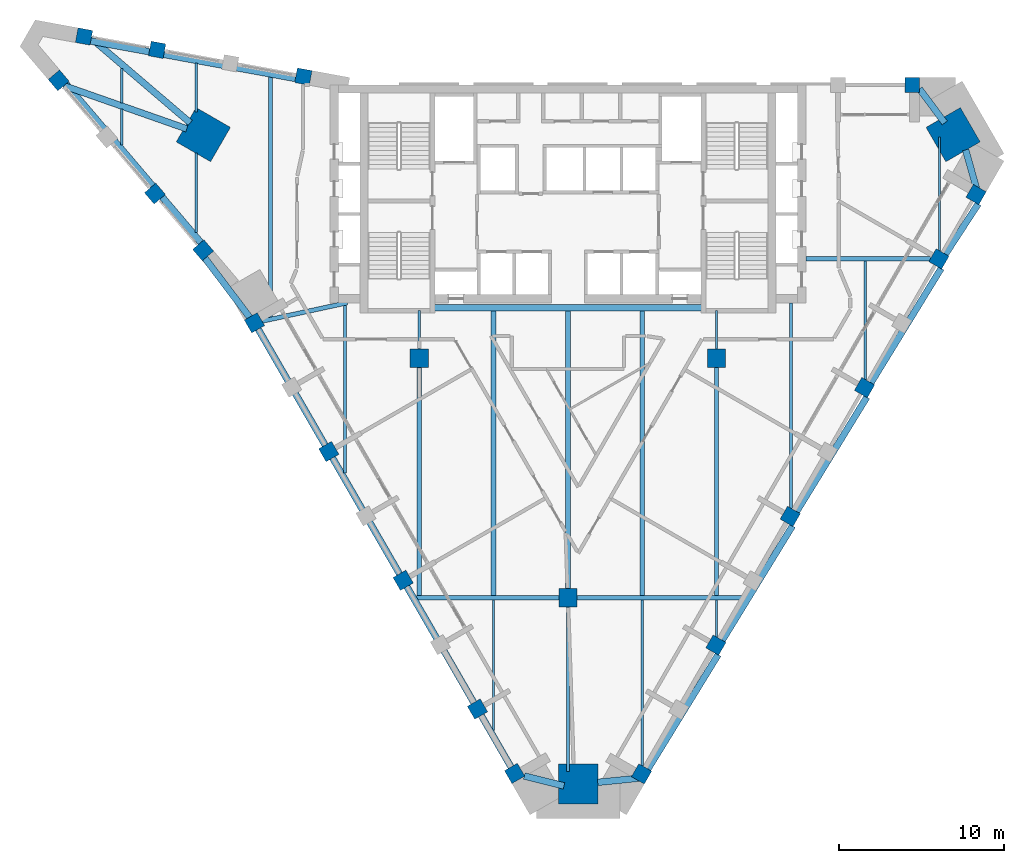
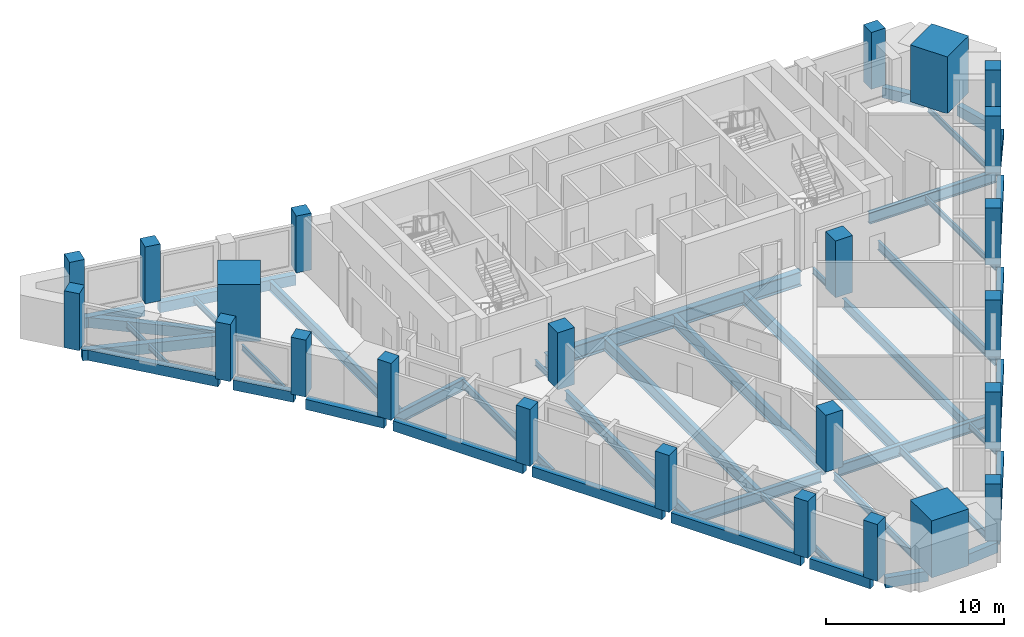
# One storey, part 1 of 9: 45 beams, 24 columns.
"""IFC4 building model written with IfcOpenShell, lengths in metres."""

from ifc_helpers import new_model, si_unit, direction, frame, origin, origin_2d, place, context, subcontext, project, spatial, rectangle, i_section, extrude, material, material_profile, profile_set, type_object, element, save


model = new_model("IFC4")

# Units and contexts
model_context = context("Model", 3, precision=1e-05, world=origin(), true_north=direction((0.0, 1.0)))
body_context = subcontext(model_context, "Body", "Model", "MODEL_VIEW")
ifc_project = project(units=[si_unit("LENGTHUNIT", "METRE"), si_unit("AREAUNIT", "SQUARE_METRE"), si_unit("VOLUMEUNIT", "CUBIC_METRE"), si_unit("PLANEANGLEUNIT", "RADIAN"), si_unit("MASSUNIT", "GRAM", prefix="KILO")], contexts=[model_context])

# Site, building, storey
site_placement = place(None, origin())
site = spatial("IfcSite", under=ifc_project, at=site_placement, CompositionType="ELEMENT")
building_placement = place(site_placement, origin())
building = spatial("IfcBuilding", under=site, at=building_placement, Name="Calabash Gate Tower", CompositionType="ELEMENT")
storey_placement = place(building_placement, frame((0.0, 0.0, 223.699951171875)))
storey = spatial("IfcBuildingStorey", under=building, at=storey_placement, Name="L53", CompositionType="ELEMENT", Elevation=223.699951171875)

# Columns
ifc_material_1 = material(Name="Concrete C60/75", Category="concrete")
ifc_material_profile_1 = material_profile(ifc_material_1, rectangle(XDim=1.10009765625, YDim=1.10009765625, at=origin_2d()))
ifc_profile_set_1 = profile_set([ifc_material_profile_1], Name="Concrete C60/75")
column_type_1 = type_object("IfcColumnType", Name="Interior column RC 1100x1100 Concrete C60/75", PredefinedType="COLUMN", material=ifc_profile_set_1)
for number, where, z_axis, x_axis, name in (
    (1, (-9.0, 2.5, 0.0), (0.0, 0.0, 1.0), (1.0, 0.0, 0.0), "Interior column L53 I0"),
    (2, (9.0, 2.5, 0.0), (0.0, 0.0, 1.0), (1.0, 0.0, 0.0), "Interior column L53 I1"),
    (3, (0.0, -12.0, 0.0), (0.0, 0.0, 1.0), (1.0, 0.0, 0.0), "Interior column L53 I2"),
):
    element("IfcColumn", number, at=place(storey_placement, frame(where, z_axis=z_axis, x_axis=x_axis)), inside=storey, type_object=column_type_1, Name=name, PredefinedType="COLUMN", context=body_context, shape_type="SweptSolid", body=[
        extrude(rectangle(XDim=1.10009765625, YDim=1.10009765625, at=origin_2d()), origin(), (0.0, 0.0, 1.0), 3.900146484375),
    ])
ifc_material_2 = material(Name="Concrete C70/85", Category="concrete")
ifc_material_profile_2 = material_profile(ifc_material_2, rectangle(XDim=2.39990234375, YDim=2.39990234375, at=origin_2d()))
ifc_profile_set_2 = profile_set([ifc_material_profile_2], Name="Concrete C70/85")
column_type_2 = type_object("IfcColumnType", Name="Mega column RC 2400x2400 Concrete C70/85", PredefinedType="COLUMN", material=ifc_profile_set_2)
for number, where, z_axis, x_axis, name in (
    (4, (-22.070068359375, 16.0380859375, 0.0), (0.0, 0.0, 1.0), (0.866025421238, -0.49999996977, 0.0), "Mega column L53 NW"),
    (5, (23.321044921875, 16.0380859375, 0.0), (0.0, 0.0, 1.0), (-0.866025421238, -0.49999996977, 0.0), "Mega column L53 NE"),
    (6, (0.6259765625, -23.27197265625, 0.0), (0.0, 0.0, 1.0), (0.0, 1.0, 0.0), "Mega column L53 S"),
):
    element("IfcColumn", number, at=place(storey_placement, frame(where, z_axis=z_axis, x_axis=x_axis)), inside=storey, type_object=column_type_2, Name=name, PredefinedType="COLUMN", context=body_context, shape_type="SweptSolid", body=[
        extrude(rectangle(XDim=2.39990234375, YDim=2.39990234375, at=origin_2d()), origin(), (0.0, 0.0, 1.0), 3.900146484375),
    ])
ifc_material_3 = material(Name="Concrete C60/75", Category="concrete")
ifc_material_profile_3 = material_profile(ifc_material_3, rectangle(XDim=0.89990234375, YDim=0.89990234375, at=origin_2d()))
ifc_profile_set_3 = profile_set([ifc_material_profile_3], Name="Concrete C60/75")
column_type_3 = type_object("IfcColumnType", Name="Perimeter column RC 900x900 Concrete C60/75", PredefinedType="COLUMN", material=ifc_profile_set_3)
for number, where, z_axis, x_axis, name in (
    (7, (-18.97412109375, 4.64599609375, 0.0), (0.0, 0.0, 1.0), (0.5, -0.866025403784, 0.0), "Perimeter column L53 P00"),
    (8, (-14.47412109375, -3.14794921875, 0.0), (0.0, 0.0, 1.0), (0.5, -0.866025403784, 0.0), "Perimeter column L53 P01"),
    (9, (-9.97412109375, -10.94189453125, 0.0), (0.0, 0.0, 1.0), (0.5, -0.866025403784, 0.0), "Perimeter column L53 P02"),
    (10, (-5.47412109375, -18.736083984375, 0.0), (0.0, 0.0, 1.0), (0.5, -0.866025403784, 0.0), "Perimeter column L53 P03"),
    (11, (-3.22412109375, -22.633056640625, 0.0), (0.0, 0.0, 1.0), (0.5, -0.866025403784, 0.0), "Perimeter column L53 P25"),
    (12, (4.458984375, -22.660888671875, 0.0), (0.0, 0.0, 1.0), (0.5, 0.866025403784, 0.0), "Perimeter column L53 P08"),
    (13, (8.958984375, -14.866943359375, 0.0), (0.0, 0.0, 1.0), (0.5, 0.866025403784, 0.0), "Perimeter column L53 P09"),
    (14, (13.458984375, -7.072998046875, 0.0), (0.0, 0.0, 1.0), (0.5, 0.866025403784, 0.0), "Perimeter column L53 P10"),
    (15, (17.958984375, 0.721923828125, 0.0), (0.0, 0.0, 1.0), (0.5, 0.866025403784, 0.0), "Perimeter column L53 P11"),
    (16, (22.458984375, 8.51611328125, 0.0), (0.0, 0.0, 1.0), (0.5, 0.866025403784, 0.0), "Perimeter column L53 P12"),
    (17, (24.708984375, 12.4130859375, 0.0), (0.0, 0.0, 1.0), (0.5, 0.866025403784, 0.0), "Perimeter column L53 P13"),
    (18, (20.843994140625, 19.052978515625, 0.0), (0.0, 0.0, 1.0), (-1.0, 0.0, 0.0), "Perimeter column L53 P24"),
    (19, (-16.012939453125, 19.551025390625, 0.0), (0.0, 0.0, 1.0), (-0.983669930074, 0.179981856499, 0.0), "Perimeter column L53 P31"),
    (20, (-24.865966796875, 21.1708984375, 0.0), (0.0, 0.0, 1.0), (-0.983669930074, 0.179981856499, 0.0), "Perimeter column L53 P32"),
    (21, (-29.29296875, 21.97998046875, 0.0), (0.0, 0.0, 1.0), (-0.983669930074, 0.179981856499, 0.0), "Perimeter column L53 P33"),
    (22, (-30.827880859375, 19.322021484375, 0.0), (0.0, 0.0, 1.0), (0.647703824985, -0.761892220133, 0.0), "Perimeter column L53 P34"),
    (23, (-24.998046875, 12.467041015625, 0.0), (0.0, 0.0, 1.0), (0.647703824985, -0.761892220133, 0.0), "Perimeter column L53 P20"),
    (24, (-22.083984375, 9.037109375, 0.0), (0.0, 0.0, 1.0), (0.647703824985, -0.761892220133, 0.0), "Perimeter column L53 P35"),
):
    element("IfcColumn", number, at=place(storey_placement, frame(where, z_axis=z_axis, x_axis=x_axis)), inside=storey, type_object=column_type_3, Name=name, PredefinedType="COLUMN", context=body_context, shape_type="SweptSolid", body=[
        extrude(rectangle(XDim=0.89990234375, YDim=0.89990234375, at=origin_2d()), origin(), (0.0, 0.0, 1.0), 3.900146484375),
    ])

# Beams
ifc_material_4 = material(Name="Concrete C50/60", Category="concrete")
ifc_material_profile_4 = material_profile(ifc_material_4, rectangle(XDim=0.39990234375, YDim=0.699951171875, at=origin_2d()))
ifc_profile_set_4 = profile_set([ifc_material_profile_4], Name="Concrete C50/60")
beam_type_1 = type_object("IfcBeamType", Name="Edge beam RC 400x700 Concrete C50/60", PredefinedType="BEAM", material=ifc_profile_set_4)
beam_1_placement = place(storey_placement, frame((-14.260986328125, -3.51611328125, -0.52001953125), z_axis=(0.50008326424, -0.865977325816, 0.0), x_axis=(0.865977325816, 0.50008326424, 0.0)))
element("IfcBeam", 25, at=beam_1_placement, inside=storey, type_object=beam_type_1, Name="Edge beam L53 1", PredefinedType="BEAM", context=body_context, shape_type="SweptSolid", body=[
    extrude(rectangle(XDim=0.39990234375, YDim=0.699951171875, at=origin_2d()), origin(), (0.0, 0.0, 1.0), 8.41455078125),
])
beam_2_placement = place(storey_placement, frame((-9.760986328125, -11.31005859375, -0.52001953125), z_axis=(0.49997020258, -0.86604260665, 0.0), x_axis=(0.86604260665, 0.49997020258, 0.0)))
element("IfcBeam", 26, at=beam_2_placement, inside=storey, type_object=beam_type_1, Name="Edge beam L53 2", PredefinedType="BEAM", context=body_context, shape_type="SweptSolid", body=[
    extrude(rectangle(XDim=0.39990234375, YDim=0.699951171875, at=origin_2d()), origin(), (0.0, 0.0, 1.0), 8.41650390625),
])
beam_3_placement = place(storey_placement, frame((-5.260986328125, -19.10400390625, -0.52001953125), z_axis=(0.49981236974, -0.866133705068, 0.0), x_axis=(0.866133705068, 0.49981236974, 0.0)))
element("IfcBeam", 27, at=beam_3_placement, inside=storey, type_object=beam_type_1, Name="Edge beam L53 3", PredefinedType="BEAM", context=body_context, shape_type="SweptSolid", body=[
    extrude(rectangle(XDim=0.39990234375, YDim=0.699951171875, at=origin_2d()), origin(), (0.0, 0.0, 1.0), 3.91748046875),
])
beam_4_placement = place(storey_placement, frame((-2.64111328125, -22.7890625, -0.52001953125), z_axis=(0.970258111546, -0.242072710109, 0.0), x_axis=(0.242072710109, 0.970258111546, 0.0)))
element("IfcBeam", 28, at=beam_4_placement, inside=storey, type_object=beam_type_1, Name="Edge beam L53 4", PredefinedType="BEAM", context=body_context, shape_type="SweptSolid", body=[
    extrude(rectangle(XDim=0.39990234375, YDim=0.699951171875, at=origin_2d()), origin(), (0.0, 0.0, 1.0), 2.48193359375),
])
beam_5_placement = place(storey_placement, frame((1.802978515625, -23.173095703125, -0.52001953125), z_axis=(0.994956996176, 0.100302421506, 0.0), x_axis=(-0.100302421506, 0.994956996176, 0.0)))
element("IfcBeam", 29, at=beam_5_placement, inside=storey, type_object=beam_type_1, Name="Edge beam L53 5", PredefinedType="BEAM", context=body_context, shape_type="SweptSolid", body=[
    extrude(rectangle(XDim=0.39990234375, YDim=0.699951171875, at=origin_2d()), origin(), (0.0, 0.0, 1.0), 2.7236328125),
])
beam_6_placement = place(storey_placement, frame((4.8369140625, -22.383056640625, -0.52001953125), z_axis=(0.522914785384, 0.852384964219, 0.0), x_axis=(-0.852384964219, 0.522914785384, 0.0)))
element("IfcBeam", 30, at=beam_6_placement, inside=storey, type_object=beam_type_1, Name="Edge beam L53 6", PredefinedType="BEAM", context=body_context, shape_type="SweptSolid", body=[
    extrude(rectangle(XDim=0.39990234375, YDim=0.699951171875, at=origin_2d()), origin(), (0.0, 0.0, 1.0), 8.146728515625),
])
beam_7_placement = place(storey_placement, frame((9.3369140625, -14.591064453125, -0.52001953125), z_axis=(0.522701135347, 0.852515995807, 0.0), x_axis=(-0.852515995807, 0.522701135347, 0.0)))
element("IfcBeam", 31, at=beam_7_placement, inside=storey, type_object=beam_type_1, Name="Edge beam L53 7", PredefinedType="BEAM", context=body_context, shape_type="SweptSolid", body=[
    extrude(rectangle(XDim=0.39990234375, YDim=0.699951171875, at=origin_2d()), origin(), (0.0, 0.0, 1.0), 8.14990234375),
])
beam_8_placement = place(storey_placement, frame((13.8369140625, -6.797119140625, -0.52001953125), z_axis=(0.522807942643, 0.852450500093, 0.0), x_axis=(-0.852450500093, 0.522807942643, 0.0)))
element("IfcBeam", 32, at=beam_8_placement, inside=storey, type_object=beam_type_1, Name="Edge beam L53 8", PredefinedType="BEAM", context=body_context, shape_type="SweptSolid", body=[
    extrude(rectangle(XDim=0.39990234375, YDim=0.699951171875, at=origin_2d()), origin(), (0.0, 0.0, 1.0), 8.1484375),
])
beam_9_placement = place(storey_placement, frame((18.3369140625, 0.998046875, -0.52001953125), z_axis=(0.522861359582, 0.852417737178, 0.0), x_axis=(-0.852417737178, 0.522861359582, 0.0)))
element("IfcBeam", 33, at=beam_9_placement, inside=storey, type_object=beam_type_1, Name="Edge beam L53 9", PredefinedType="BEAM", context=body_context, shape_type="SweptSolid", body=[
    extrude(rectangle(XDim=0.39990234375, YDim=0.699951171875, at=origin_2d()), origin(), (0.0, 0.0, 1.0), 8.1474609375),
])
beam_10_placement = place(storey_placement, frame((22.846923828125, 8.785888671875, -0.52001953125), z_axis=(0.545171710291, 0.838324403974, 0.0), x_axis=(-0.838324403974, 0.545171710291, 0.0)))
element("IfcBeam", 34, at=beam_10_placement, inside=storey, type_object=beam_type_1, Name="Edge beam L53 10", PredefinedType="BEAM", context=body_context, shape_type="SweptSolid", body=[
    extrude(rectangle(XDim=0.39990234375, YDim=0.699951171875, at=origin_2d()), origin(), (0.0, 0.0, 1.0), 3.650146484375),
])
beam_11_placement = place(storey_placement, frame((24.85693359375, 12.346923828125, -0.52001953125), z_axis=(-0.270121095734, 0.962826356951, 0.0), x_axis=(-0.962826356951, -0.270121095734, 0.0)))
element("IfcBeam", 35, at=beam_11_placement, inside=storey, type_object=beam_type_1, Name="Edge beam L53 11", PredefinedType="BEAM", context=body_context, shape_type="SweptSolid", body=[
    extrude(rectangle(XDim=0.39990234375, YDim=0.699951171875, at=origin_2d()), origin(), (0.0, 0.0, 1.0), 2.8759765625),
])
beam_12_placement = place(storey_placement, frame((22.81689453125, 16.75, -0.52001953125), z_axis=(-0.598451550505, 0.801158999012, 0.0), x_axis=(-0.801158999012, -0.598451550505, 0.0)))
element("IfcBeam", 36, at=beam_12_placement, inside=storey, type_object=beam_type_1, Name="Edge beam L53 12", PredefinedType="BEAM", context=body_context, shape_type="SweptSolid", body=[
    extrude(rectangle(XDim=0.39990234375, YDim=0.699951171875, at=origin_2d()), origin(), (0.0, 0.0, 1.0), 2.574951171875),
])
beam_13_placement = place(storey_placement, frame((-16.491943359375, 19.43701171875, -0.52001953125), z_axis=(-0.983710376503, 0.179760660767, 0.0), x_axis=(-0.179760660767, -0.983710376503, 0.0)))
element("IfcBeam", 37, at=beam_13_placement, inside=storey, type_object=beam_type_1, Name="Edge beam L53 13", PredefinedType="BEAM", context=body_context, shape_type="SweptSolid", body=[
    extrude(rectangle(XDim=0.39990234375, YDim=0.699951171875, at=origin_2d()), origin(), (0.0, 0.0, 1.0), 8.099853515625),
])
beam_14_placement = place(storey_placement, frame((-25.343017578125, 21.056884765625, -0.52001953125), z_axis=(-0.983780846892, 0.179374594879, 0.0), x_axis=(-0.179374594879, -0.983780846892, 0.0)))
element("IfcBeam", 38, at=beam_14_placement, inside=storey, type_object=beam_type_1, Name="Edge beam L53 14", PredefinedType="BEAM", context=body_context, shape_type="SweptSolid", body=[
    extrude(rectangle(XDim=0.39990234375, YDim=0.699951171875, at=origin_2d()), origin(), (0.0, 0.0, 1.0), 3.601318359375),
])
beam_15_placement = place(storey_placement, frame((-28.8720703125, 21.884033203125, -0.52001953125), z_axis=(0.760395602706, -0.649460181524, 0.0), x_axis=(0.649460181524, 0.760395602706, 0.0)))
element("IfcBeam", 39, at=beam_15_placement, inside=storey, type_object=beam_type_1, Name="Edge beam L53 15", PredefinedType="BEAM", context=body_context, shape_type="SweptSolid", body=[
    extrude(rectangle(XDim=0.39990234375, YDim=0.699951171875, at=origin_2d()), origin(), (0.0, 0.0, 1.0), 7.905029296875),
])
beam_16_placement = place(storey_placement, frame((-23.070068359375, 16.387939453125, -0.52001953125), z_axis=(-0.943576970451, 0.331153289028, 0.0), x_axis=(-0.331153289028, -0.943576970451, 0.0)))
element("IfcBeam", 40, at=beam_16_placement, inside=storey, type_object=beam_type_1, Name="Edge beam L53 16", PredefinedType="BEAM", context=body_context, shape_type="SweptSolid", body=[
    extrude(rectangle(XDim=0.39990234375, YDim=0.699951171875, at=origin_2d()), origin(), (0.0, 0.0, 1.0), 7.9091796875),
])
beam_17_placement = place(storey_placement, frame((-30.384033203125, 19.10888671875, -0.52001953125), z_axis=(0.647777896435, -0.761829243919, 0.0), x_axis=(0.761829243919, 0.647777896435, 0.0)))
element("IfcBeam", 41, at=beam_17_placement, inside=storey, type_object=beam_type_1, Name="Edge beam L53 17", PredefinedType="BEAM", context=body_context, shape_type="SweptSolid", body=[
    extrude(rectangle(XDim=0.39990234375, YDim=0.699951171875, at=origin_2d()), origin(), (0.0, 0.0, 1.0), 8.10009765625),
])
beam_18_placement = place(storey_placement, frame((-24.553955078125, 12.251953125, -0.52001953125), z_axis=(0.647579511056, -0.761997885076, 0.0), x_axis=(0.761997885076, 0.647579511056, 0.0)))
element("IfcBeam", 42, at=beam_18_placement, inside=storey, type_object=beam_type_1, Name="Edge beam L53 18", PredefinedType="BEAM", context=body_context, shape_type="SweptSolid", body=[
    extrude(rectangle(XDim=0.39990234375, YDim=0.699951171875, at=origin_2d()), origin(), (0.0, 0.0, 1.0), 3.599609375),
])
beam_19_placement = place(storey_placement, frame((-21.97705078125, 8.56689453125, -0.52001953125), z_axis=(0.603113036722, -0.797655730836, 0.0), x_axis=(0.797655730836, 0.603113036722, 0.0)))
element("IfcBeam", 43, at=beam_19_placement, inside=storey, type_object=beam_type_1, Name="Edge beam L53 19", PredefinedType="BEAM", context=body_context, shape_type="SweptSolid", body=[
    extrude(rectangle(XDim=0.39990234375, YDim=0.699951171875, at=origin_2d()), origin(), (0.0, 0.0, 1.0), 4.77392578125),
])
beam_20_placement = place(storey_placement, frame((-18.760986328125, 4.278076171875, -0.52001953125), z_axis=(0.49997020258, -0.86604260665, 0.0), x_axis=(0.86604260665, 0.49997020258, 0.0)))
element("IfcBeam", 44, at=beam_20_placement, inside=storey, type_object=beam_type_1, Name="Edge beam L53 20", PredefinedType="BEAM", context=body_context, shape_type="SweptSolid", body=[
    extrude(rectangle(XDim=0.39990234375, YDim=0.699951171875, at=origin_2d()), origin(), (0.0, 0.0, 1.0), 8.41650390625),
])
ifc_material_5 = material(Name="Steel ASTM A992 Gr50", Category="steel")
ifc_material_profile_5 = material_profile(ifc_material_5, i_section(OverallWidth=0.1396484375, OverallDepth=0.398681640625, WebThickness=0.00634765625, FlangeThickness=0.0087890625, FilletRadius=0.01025390625, at=origin_2d()))
ifc_profile_set_5 = profile_set([ifc_material_profile_5], Name="Steel ASTM A992 Gr50")
beam_type_2 = type_object("IfcBeamType", Name="Floor beam W16x26 ASTM A992 Gr50", PredefinedType="BEAM", material=ifc_profile_set_5)
beam_21_placement = place(storey_placement, frame((-27.0, 15.416015625, -0.368896484375), z_axis=(0.0, 1.0, 0.0), x_axis=(-1.0, 0.0, 0.0)))
element("IfcBeam", 45, at=beam_21_placement, inside=storey, type_object=beam_type_2, Name="Floor beam L53 1", PredefinedType="BEAM", context=body_context, shape_type="SweptSolid", body=[
    extrude(i_section(OverallWidth=0.1396484375, OverallDepth=0.398681640625, WebThickness=0.00634765625, FlangeThickness=0.0087890625, FilletRadius=0.01025390625, at=origin_2d()), origin(), (0.0, 0.0, 1.0), 2.1708984375),
])
beam_22_placement = place(storey_placement, frame((-27.0, 17.947021484375, -0.368896484375), z_axis=(0.0, 1.0, 0.0), x_axis=(-1.0, 0.0, 0.0)))
element("IfcBeam", 46, at=beam_22_placement, inside=storey, type_object=beam_type_2, Name="Floor beam L53 2", PredefinedType="BEAM", context=body_context, shape_type="SweptSolid", body=[
    extrude(i_section(OverallWidth=0.1396484375, OverallDepth=0.398681640625, WebThickness=0.00634765625, FlangeThickness=0.0087890625, FilletRadius=0.01025390625, at=origin_2d()), origin(), (0.0, 0.0, 1.0), 2.096923828125),
])
beam_23_placement = place(storey_placement, frame((-22.5, 10.1220703125, -0.368896484375), z_axis=(0.0, 1.0, 0.0), x_axis=(-1.0, 0.0, 0.0)))
element("IfcBeam", 47, at=beam_23_placement, inside=storey, type_object=beam_type_2, Name="Floor beam L53 3", PredefinedType="BEAM", context=body_context, shape_type="SweptSolid", body=[
    extrude(i_section(OverallWidth=0.1396484375, OverallDepth=0.398681640625, WebThickness=0.00634765625, FlangeThickness=0.0087890625, FilletRadius=0.01025390625, at=origin_2d()), origin(), (0.0, 0.0, 1.0), 4.802001953125),
])
beam_24_placement = place(storey_placement, frame((-22.5, 17.402099609375, -0.368896484375), z_axis=(0.0, 1.0, 0.0), x_axis=(-1.0, 0.0, 0.0)))
element("IfcBeam", 48, at=beam_24_placement, inside=storey, type_object=beam_type_2, Name="Floor beam L53 4", PredefinedType="BEAM", context=body_context, shape_type="SweptSolid", body=[
    extrude(i_section(OverallWidth=0.1396484375, OverallDepth=0.398681640625, WebThickness=0.00634765625, FlangeThickness=0.0087890625, FilletRadius=0.01025390625, at=origin_2d()), origin(), (0.0, 0.0, 1.0), 2.9609375),
])
beam_25_placement = place(storey_placement, frame((-9.0, 3.050048828125, -0.368896484375), z_axis=(0.0, 1.0, 0.0), x_axis=(-1.0, 0.0, 0.0)))
element("IfcBeam", 49, at=beam_25_placement, inside=storey, type_object=beam_type_2, Name="Floor beam L53 8", PredefinedType="BEAM", context=body_context, shape_type="SweptSolid", body=[
    extrude(i_section(OverallWidth=0.1396484375, OverallDepth=0.398681640625, WebThickness=0.00634765625, FlangeThickness=0.0087890625, FilletRadius=0.01025390625, at=origin_2d()), origin(), (0.0, 0.0, 1.0), 2.35302734375),
])
beam_26_placement = place(storey_placement, frame((-4.5, -20.033935546875, -0.368896484375), z_axis=(0.0, 1.0, 0.0), x_axis=(-1.0, 0.0, 0.0)))
element("IfcBeam", 50, at=beam_26_placement, inside=storey, type_object=beam_type_2, Name="Floor beam L53 9", PredefinedType="BEAM", context=body_context, shape_type="SweptSolid", body=[
    extrude(i_section(OverallWidth=0.1396484375, OverallDepth=0.398681640625, WebThickness=0.00634765625, FlangeThickness=0.0087890625, FilletRadius=0.01025390625, at=origin_2d()), origin(), (0.0, 0.0, 1.0), 7.90087890625),
])
beam_27_placement = place(storey_placement, frame((9.0, -15.10791015625, -0.368896484375), z_axis=(0.0, 1.0, 0.0), x_axis=(-1.0, 0.0, 0.0)))
element("IfcBeam", 51, at=beam_27_placement, inside=storey, type_object=beam_type_2, Name="Floor beam L53 15", PredefinedType="BEAM", context=body_context, shape_type="SweptSolid", body=[
    extrude(i_section(OverallWidth=0.1396484375, OverallDepth=0.398681640625, WebThickness=0.00634765625, FlangeThickness=0.0087890625, FilletRadius=0.01025390625, at=origin_2d()), origin(), (0.0, 0.0, 1.0), 2.974853515625),
])
beam_28_placement = place(storey_placement, frame((9.0, 3.050048828125, -0.368896484375), z_axis=(0.0, 1.0, 0.0), x_axis=(-1.0, 0.0, 0.0)))
element("IfcBeam", 52, at=beam_28_placement, inside=storey, type_object=beam_type_2, Name="Floor beam L53 17", PredefinedType="BEAM", context=body_context, shape_type="SweptSolid", body=[
    extrude(i_section(OverallWidth=0.1396484375, OverallDepth=0.398681640625, WebThickness=0.00634765625, FlangeThickness=0.0087890625, FilletRadius=0.01025390625, at=origin_2d()), origin(), (0.0, 0.0, 1.0), 2.35302734375),
])
beam_29_placement = place(storey_placement, frame((18.0, 0.47998046875, -0.368896484375), z_axis=(0.0, 1.0, 0.0), x_axis=(-1.0, 0.0, 0.0)))
element("IfcBeam", 53, at=beam_29_placement, inside=storey, type_object=beam_type_2, Name="Floor beam L53 19", PredefinedType="BEAM", context=body_context, shape_type="SweptSolid", body=[
    extrude(i_section(OverallWidth=0.1396484375, OverallDepth=0.398681640625, WebThickness=0.00634765625, FlangeThickness=0.0087890625, FilletRadius=0.01025390625, at=origin_2d()), origin(), (0.0, 0.0, 1.0), 7.902099609375),
])
beam_30_placement = place(storey_placement, frame((22.5, 8.634033203125, -0.368896484375), z_axis=(0.0, 1.0, 0.0), x_axis=(-1.0, 0.0, 0.0)))
element("IfcBeam", 54, at=beam_30_placement, inside=storey, type_object=beam_type_2, Name="Floor beam L53 20", PredefinedType="BEAM", context=body_context, shape_type="SweptSolid", body=[
    extrude(i_section(OverallWidth=0.1396484375, OverallDepth=0.398681640625, WebThickness=0.00634765625, FlangeThickness=0.0087890625, FilletRadius=0.01025390625, at=origin_2d()), origin(), (0.0, 0.0, 1.0), 7.259033203125),
])
ifc_material_6 = material(Name="Steel ASTM A992 Gr50", Category="steel")
ifc_material_profile_6 = material_profile(ifc_material_6, i_section(OverallWidth=0.166015625, OverallDepth=0.5283203125, WebThickness=0.009765625, FlangeThickness=0.013671875, FilletRadius=0.0126953125, at=origin_2d()))
ifc_profile_set_6 = profile_set([ifc_material_profile_6], Name="Steel ASTM A992 Gr50")
beam_type_3 = type_object("IfcBeamType", Name="Floor beam W21x50 ASTM A992 Gr50", PredefinedType="BEAM", material=ifc_profile_set_6)
beam_31_placement = place(storey_placement, frame((-13.5, -4.446044921875, -0.433837890625), z_axis=(0.0, 1.0, 0.0), x_axis=(-1.0, 0.0, 0.0)))
element("IfcBeam", 55, at=beam_31_placement, inside=storey, type_object=beam_type_3, Name="Floor beam L53 6", PredefinedType="BEAM", context=body_context, shape_type="SweptSolid", body=[
    extrude(i_section(OverallWidth=0.166015625, OverallDepth=0.5283203125, WebThickness=0.009765625, FlangeThickness=0.013671875, FilletRadius=0.0126953125, at=origin_2d()), origin(), (0.0, 0.0, 1.0), 10.170166015625),
])
beam_32_placement = place(storey_placement, frame((0.0, -22.50390625, -0.433837890625), z_axis=(0.0, 1.0, 0.0), x_axis=(-1.0, 0.0, 0.0)))
element("IfcBeam", 56, at=beam_32_placement, inside=storey, type_object=beam_type_3, Name="Floor beam L53 11", PredefinedType="BEAM", context=body_context, shape_type="SweptSolid", body=[
    extrude(i_section(OverallWidth=0.166015625, OverallDepth=0.5283203125, WebThickness=0.009765625, FlangeThickness=0.013671875, FilletRadius=0.0126953125, at=origin_2d()), origin(), (0.0, 0.0, 1.0), 9.953857421875),
])
beam_33_placement = place(storey_placement, frame((4.5, -22.802978515625, -0.433837890625), z_axis=(0.0, 1.0, 0.0), x_axis=(-1.0, 0.0, 0.0)))
element("IfcBeam", 57, at=beam_33_placement, inside=storey, type_object=beam_type_3, Name="Floor beam L53 13", PredefinedType="BEAM", context=body_context, shape_type="SweptSolid", body=[
    extrude(i_section(OverallWidth=0.166015625, OverallDepth=0.5283203125, WebThickness=0.009765625, FlangeThickness=0.013671875, FilletRadius=0.0126953125, at=origin_2d()), origin(), (0.0, 0.0, 1.0), 10.669921875),
])
ifc_material_7 = material(Name="Steel ASTM A992 Gr50", Category="steel")
ifc_material_profile_7 = material_profile(ifc_material_7, i_section(OverallWidth=0.1787109375, OverallDepth=0.60205078125, WebThickness=0.010986328125, FlangeThickness=0.014892578125, FilletRadius=0.0126953125, at=origin_2d()))
ifc_profile_set_7 = profile_set([ifc_material_profile_7], Name="Steel ASTM A992 Gr50")
beam_type_4 = type_object("IfcBeamType", Name="Floor beam W24x62 ASTM A992 Gr50", PredefinedType="BEAM", material=ifc_profile_set_7)
beam_34_placement = place(storey_placement, frame((13.5, -7.31396484375, -0.470947265625), z_axis=(0.0, 1.0, 0.0), x_axis=(-1.0, 0.0, 0.0)))
element("IfcBeam", 58, at=beam_34_placement, inside=storey, type_object=beam_type_4, Name="Floor beam L53 18", PredefinedType="BEAM", context=body_context, shape_type="SweptSolid", body=[
    extrude(i_section(OverallWidth=0.1787109375, OverallDepth=0.60205078125, WebThickness=0.010986328125, FlangeThickness=0.014892578125, FilletRadius=0.0126953125, at=origin_2d()), origin(), (0.0, 0.0, 1.0), 13.1669921875),
])
ifc_material_8 = material(Name="Steel ASTM A992 Gr50", Category="steel")
ifc_material_profile_8 = material_profile(ifc_material_8, i_section(OverallWidth=0.25390625, OverallDepth=0.67822265625, WebThickness=0.01171875, FlangeThickness=0.016357421875, FilletRadius=0.01513671875, at=origin_2d()))
ifc_profile_set_8 = profile_set([ifc_material_profile_8], Name="Steel ASTM A992 Gr50")
beam_type_5 = type_object("IfcBeamType", Name="Floor beam W27x84 ASTM A992 Gr50", PredefinedType="BEAM", material=ifc_profile_set_8)
beam_35_placement = place(storey_placement, frame((-18.0, 4.9609375, -0.509033203125), z_axis=(0.0, 1.0, 0.0), x_axis=(-1.0, 0.0, 0.0)))
element("IfcBeam", 59, at=beam_35_placement, inside=storey, type_object=beam_type_5, Name="Floor beam L53 5", PredefinedType="BEAM", context=body_context, shape_type="SweptSolid", body=[
    extrude(i_section(OverallWidth=0.25390625, OverallDepth=0.67822265625, WebThickness=0.01171875, FlangeThickness=0.016357421875, FilletRadius=0.01513671875, at=origin_2d()), origin(), (0.0, 0.0, 1.0), 14.5791015625),
])
beam_36_placement = place(storey_placement, frame((-9.0, -11.8798828125, -0.509033203125), z_axis=(0.0, 1.0, 0.0), x_axis=(-1.0, 0.0, 0.0)))
element("IfcBeam", 60, at=beam_36_placement, inside=storey, type_object=beam_type_5, Name="Floor beam L53 7", PredefinedType="BEAM", context=body_context, shape_type="SweptSolid", body=[
    extrude(i_section(OverallWidth=0.25390625, OverallDepth=0.67822265625, WebThickness=0.01171875, FlangeThickness=0.016357421875, FilletRadius=0.01513671875, at=origin_2d()), origin(), (0.0, 0.0, 1.0), 13.829833984375),
])
beam_37_placement = place(storey_placement, frame((9.0, -11.866943359375, -0.509033203125), z_axis=(0.0, 1.0, 0.0), x_axis=(-1.0, 0.0, 0.0)))
element("IfcBeam", 61, at=beam_37_placement, inside=storey, type_object=beam_type_5, Name="Floor beam L53 16", PredefinedType="BEAM", context=body_context, shape_type="SweptSolid", body=[
    extrude(i_section(OverallWidth=0.25390625, OverallDepth=0.67822265625, WebThickness=0.01171875, FlangeThickness=0.016357421875, FilletRadius=0.01513671875, at=origin_2d()), origin(), (0.0, 0.0, 1.0), 13.81689453125),
])
ifc_material_9 = material(Name="Steel ASTM A992 Gr50", Category="steel")
ifc_material_profile_9 = material_profile(ifc_material_9, i_section(OverallWidth=0.2919921875, OverallDepth=0.845703125, WebThickness=0.015380859375, FlangeThickness=0.0244140625, FilletRadius=0.017822265625, at=origin_2d()))
ifc_profile_set_9 = profile_set([ifc_material_profile_9], Name="Steel ASTM A992 Gr50")
beam_type_6 = type_object("IfcBeamType", Name="Floor beam W33x141 ASTM A992 Gr50", PredefinedType="BEAM", material=ifc_profile_set_9)
beam_38_placement = place(storey_placement, frame((-4.5, -11.866943359375, -0.593017578125), z_axis=(0.0, 1.0, 0.0), x_axis=(-1.0, 0.0, 0.0)))
element("IfcBeam", 62, at=beam_38_placement, inside=storey, type_object=beam_type_6, Name="Floor beam L53 10", PredefinedType="BEAM", context=body_context, shape_type="SweptSolid", body=[
    extrude(i_section(OverallWidth=0.2919921875, OverallDepth=0.845703125, WebThickness=0.015380859375, FlangeThickness=0.0244140625, FilletRadius=0.017822265625, at=origin_2d()), origin(), (0.0, 0.0, 1.0), 17.218994140625),
])
beam_39_placement = place(storey_placement, frame((0.0, -11.449951171875, -0.593017578125), z_axis=(0.0, 1.0, 0.0), x_axis=(-1.0, 0.0, 0.0)))
element("IfcBeam", 63, at=beam_39_placement, inside=storey, type_object=beam_type_6, Name="Floor beam L53 12", PredefinedType="BEAM", context=body_context, shape_type="SweptSolid", body=[
    extrude(i_section(OverallWidth=0.2919921875, OverallDepth=0.845703125, WebThickness=0.015380859375, FlangeThickness=0.0244140625, FilletRadius=0.017822265625, at=origin_2d()), origin(), (0.0, 0.0, 1.0), 16.802001953125),
])
beam_40_placement = place(storey_placement, frame((4.5, -11.866943359375, -0.593017578125), z_axis=(0.0, 1.0, 0.0), x_axis=(-1.0, 0.0, 0.0)))
element("IfcBeam", 64, at=beam_40_placement, inside=storey, type_object=beam_type_6, Name="Floor beam L53 14", PredefinedType="BEAM", context=body_context, shape_type="SweptSolid", body=[
    extrude(i_section(OverallWidth=0.2919921875, OverallDepth=0.845703125, WebThickness=0.015380859375, FlangeThickness=0.0244140625, FilletRadius=0.017822265625, at=origin_2d()), origin(), (0.0, 0.0, 1.0), 17.218994140625),
])
ifc_material_10 = material(Name="Steel ASTM A992 Gr50", Category="steel")
ifc_material_profile_10 = material_profile(ifc_material_10, i_section(OverallWidth=0.2666015625, OverallDepth=0.77978515625, WebThickness=0.0166015625, FlangeThickness=0.030029296875, FilletRadius=0.0166015625, at=origin_2d()))
ifc_profile_set_10 = profile_set([ifc_material_profile_10], Name="Steel ASTM A992 Gr50")
beam_type_7 = type_object("IfcBeamType", Name="Girder W30x148 ASTM A992 Gr50", PredefinedType="BEAM", material=ifc_profile_set_10)
beam_41_placement = place(storey_placement, frame((-18.532958984375, 4.741943359375, -0.56005859375), z_axis=(0.977491590315, 0.210974384379, 0.0), x_axis=(-0.210974384379, 0.977491590315, 0.0)))
element("IfcBeam", 65, at=beam_41_placement, inside=storey, type_object=beam_type_7, Name="Girder L53 2", PredefinedType="BEAM", context=body_context, shape_type="SweptSolid", body=[
    extrude(i_section(OverallWidth=0.2666015625, OverallDepth=0.77978515625, WebThickness=0.0166015625, FlangeThickness=0.030029296875, FilletRadius=0.0166015625, at=origin_2d()), origin(), (0.0, 0.0, 1.0), 5.294189453125),
])
beam_42_placement = place(storey_placement, frame((22.64208984375, 8.51611328125, -0.56005859375), z_axis=(-1.0, 0.0, 0.0), x_axis=(0.0, -1.0, 0.0)))
element("IfcBeam", 66, at=beam_42_placement, inside=storey, type_object=beam_type_7, Name="Girder L53 3", PredefinedType="BEAM", context=body_context, shape_type="SweptSolid", body=[
    extrude(i_section(OverallWidth=0.2666015625, OverallDepth=0.77978515625, WebThickness=0.0166015625, FlangeThickness=0.030029296875, FilletRadius=0.0166015625, at=origin_2d()), origin(), (0.0, 0.0, 1.0), 8.2421875),
])
beam_43_placement = place(storey_placement, frame((-9.153076171875, -12.0, -0.56005859375), z_axis=(1.0, 0.0, 0.0), x_axis=(0.0, 1.0, 0.0)))
element("IfcBeam", 67, at=beam_43_placement, inside=storey, type_object=beam_type_7, Name="Girder L53 4", PredefinedType="BEAM", context=body_context, shape_type="SweptSolid", body=[
    extrude(i_section(OverallWidth=0.2666015625, OverallDepth=0.77978515625, WebThickness=0.0166015625, FlangeThickness=0.030029296875, FilletRadius=0.0166015625, at=origin_2d()), origin(), (0.0, 0.0, 1.0), 8.60302734375),
])
beam_44_placement = place(storey_placement, frame((0.550048828125, -12.0, -0.56005859375), z_axis=(1.0, 0.0, 0.0), x_axis=(0.0, 1.0, 0.0)))
element("IfcBeam", 68, at=beam_44_placement, inside=storey, type_object=beam_type_7, Name="Girder L53 5", PredefinedType="BEAM", context=body_context, shape_type="SweptSolid", body=[
    extrude(i_section(OverallWidth=0.2666015625, OverallDepth=0.77978515625, WebThickness=0.0166015625, FlangeThickness=0.030029296875, FilletRadius=0.0166015625, at=origin_2d()), origin(), (0.0, 0.0, 1.0), 10.156982421875),
])
ifc_material_11 = material(Name="Steel ASTM A992 Gr50", Category="steel")
ifc_material_profile_11 = material_profile(ifc_material_11, i_section(OverallWidth=0.4013671875, OverallDepth=1.000732421875, WebThickness=0.01904296875, FlangeThickness=0.0361328125, FilletRadius=0.030029296875, at=origin_2d()))
ifc_profile_set_11 = profile_set([ifc_material_profile_11], Name="Steel ASTM A992 Gr50")
beam_type_8 = type_object("IfcBeamType", Name="Girder W40x249 ASTM A992 Gr50", PredefinedType="BEAM", material=ifc_profile_set_11)
beam_45_placement = place(storey_placement, frame((-8.25, 5.552978515625, -0.669921875), z_axis=(1.0, 0.0, 0.0), x_axis=(0.0, 1.0, 0.0)))
element("IfcBeam", 69, at=beam_45_placement, inside=storey, type_object=beam_type_8, Name="Girder L53 1", PredefinedType="BEAM", context=body_context, shape_type="SweptSolid", body=[
    extrude(i_section(OverallWidth=0.4013671875, OverallDepth=1.000732421875, WebThickness=0.01904296875, FlangeThickness=0.0361328125, FilletRadius=0.030029296875, at=origin_2d()), origin(), (0.0, 0.0, 1.0), 16.5),
])

save(model, "model.ifc")
